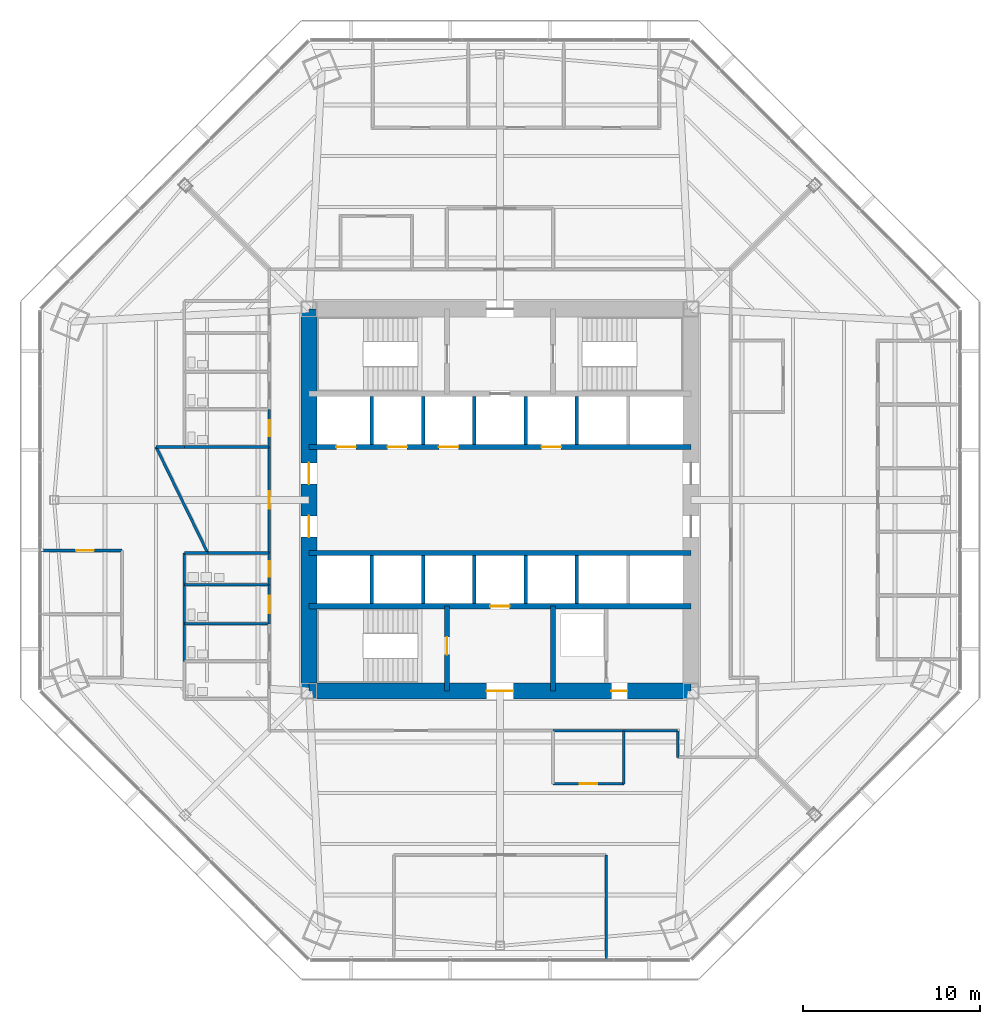
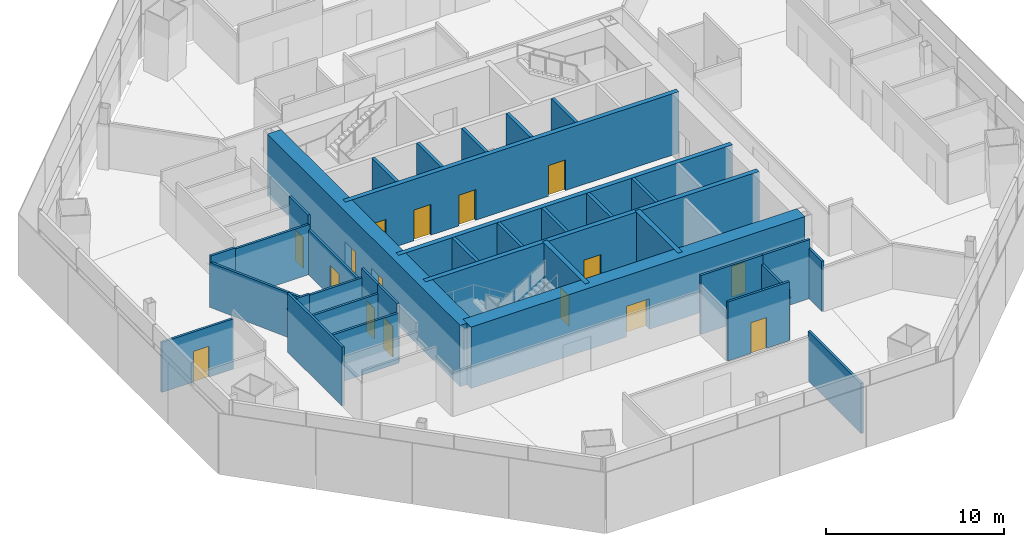
# One storey, part 9 of 15: 36 walls, 16 doors, 16 openings.
"""IFC4 building model written with IfcOpenShell, lengths in metres."""

from ifc_helpers import new_model, si_unit, direction, frame, frame_2d, origin, place, context, subcontext, project, spatial, rectangle, extrude, material, layer, layer_set, type_object, element, fill, save


model = new_model("IFC4")

# Units and contexts
model_context = context("Model", 3, precision=1e-05, world=origin(), true_north=direction((0.0, 1.0)))
body_context = subcontext(model_context, "Body", "Model", "MODEL_VIEW")
ifc_project = project(units=[si_unit("LENGTHUNIT", "METRE"), si_unit("AREAUNIT", "SQUARE_METRE"), si_unit("VOLUMEUNIT", "CUBIC_METRE"), si_unit("PLANEANGLEUNIT", "RADIAN"), si_unit("MASSUNIT", "GRAM", prefix="KILO")], contexts=[model_context])

# Site, building, storey
site_placement = place(None, origin())
site = spatial("IfcSite", under=ifc_project, at=site_placement, CompositionType="ELEMENT")
building_placement = place(site_placement, origin())
building = spatial("IfcBuilding", under=site, at=building_placement, Name="Mashrafa Tower", CompositionType="ELEMENT")
storey_placement = place(building_placement, frame((0.0, 0.0, 70.800048828125)))
storey = spatial("IfcBuildingStorey", under=building, at=storey_placement, Name="L15", CompositionType="ELEMENT", Elevation=70.800048828125)

# Wall, openings, doors
ifc_material_1 = material(Name="Concrete C60/75", Category="concrete")
ifc_layer_1 = layer(ifc_material_1, 0.300048828125)
ifc_layer_set_1 = layer_set([ifc_layer_1], Name="Core wall 300 C60/75")
wall_type_1 = type_object("IfcWallType", Name="Core wall 300 C60/75", PredefinedType="SOLIDWALL", material=ifc_layer_set_1)
wall_1_placement = place(storey_placement, frame((-10.800048828125, 3.0, 0.0), z_axis=(0.0, 0.0, 1.0), x_axis=(1.0, 0.0, 0.0)))
wall_1 = element("IfcWall", 1, at=wall_1_placement, inside=storey, type_object=wall_type_1, Name="Core wall CH-N L15", PredefinedType="SOLIDWALL", context=body_context, shape_type="SweptSolid", body=[
    extrude(rectangle(XDim=21.60009765625, YDim=0.300048828125, at=frame_2d((10.800048828125, 0.0))), origin(), (0.0, 0.0, 1.0), 4.199951171875),
])
opening_1_placement = place(wall_1_placement, frame((1.550048828125, 0.0, 0.0)))
opening_1 = element("IfcOpeningElement", 2, at=opening_1_placement, cuts=wall_1, Name="Opening 15.A1", PredefinedType="OPENING", context=body_context, shape_type="SweptSolid", body=[
    extrude(rectangle(XDim=1.10009765625, YDim=2.10009765625, at=frame_2d((0.550048828125, 1.050048828125))), frame((0.0, 0.159912109375, 0.0), z_axis=(0.0, -1.0, 0.0), x_axis=(1.0, 0.0, 0.0)), (0.0, 0.0, 1.0), 0.320068359375),
])
opening_2_placement = place(wall_1_placement, frame((4.449951171875, 0.0, 0.0)))
opening_2 = element("IfcOpeningElement", 3, at=opening_2_placement, cuts=wall_1, Name="Opening 15.A2", PredefinedType="OPENING", context=body_context, shape_type="SweptSolid", body=[
    extrude(rectangle(XDim=1.10009765625, YDim=2.10009765625, at=frame_2d((0.550048828125, 1.050048828125))), frame((0.0, 0.159912109375, 0.0), z_axis=(0.0, -1.0, 0.0), x_axis=(1.0, 0.0, 0.0)), (0.0, 0.0, 1.0), 0.320068359375),
])
opening_3_placement = place(wall_1_placement, frame((7.35009765625, 0.0, 0.0)))
opening_3 = element("IfcOpeningElement", 4, at=opening_3_placement, cuts=wall_1, Name="Opening 15.A3", PredefinedType="OPENING", context=body_context, shape_type="SweptSolid", body=[
    extrude(rectangle(XDim=1.10009765625, YDim=2.10009765625, at=frame_2d((0.550048828125, 1.050048828125))), frame((0.0, 0.159912109375, 0.0), z_axis=(0.0, -1.0, 0.0), x_axis=(1.0, 0.0, 0.0)), (0.0, 0.0, 1.0), 0.320068359375),
])
opening_4_placement = place(wall_1_placement, frame((13.14990234375, 0.0, 0.0)))
opening_4 = element("IfcOpeningElement", 5, at=opening_4_placement, cuts=wall_1, Name="Opening 15.A4", PredefinedType="OPENING", context=body_context, shape_type="SweptSolid", body=[
    extrude(rectangle(XDim=1.10009765625, YDim=2.10009765625, at=frame_2d((0.550048828125, 1.050048828125))), frame((0.0, 0.159912109375, 0.0), z_axis=(0.0, -1.0, 0.0), x_axis=(1.0, 0.0, 0.0)), (0.0, 0.0, 1.0), 0.320068359375),
])
ifc_material_2 = material(Name="Steel door", Category="steel")
door_type_1 = type_object("IfcDoorType", Name="Lift landing door 1100 x 2100 90 min", OperationType="DOUBLE_DOOR_SLIDING", PredefinedType="DOOR", material=ifc_material_2)
door_1_placement = place(opening_1_placement, origin())
door_1 = element("IfcDoor", 6, at=door_1_placement, inside=storey, type_object=door_type_1, Name="Lift landing door A1 L15", OperationType="DOUBLE_DOOR_SLIDING", OverallHeight=2.10009765625, OverallWidth=1.10009765625, PredefinedType="DOOR", context=body_context, shape_type="SweptSolid", body=[
    extrude(rectangle(XDim=1.10009765625, YDim=2.10009765625, at=frame_2d((0.550048828125, 1.050048828125))), frame((0.0, 0.02490234375, 0.0), z_axis=(0.0, -1.0, 0.0), x_axis=(1.0, 0.0, 0.0)), (0.0, 0.0, 1.0), 0.050048828125),
])
fill(opening_1, door_1)
door_2_placement = place(opening_2_placement, origin())
door_2 = element("IfcDoor", 7, at=door_2_placement, inside=storey, type_object=door_type_1, Name="Lift landing door A2 L15", OperationType="DOUBLE_DOOR_SLIDING", OverallHeight=2.10009765625, OverallWidth=1.10009765625, PredefinedType="DOOR", context=body_context, shape_type="SweptSolid", body=[
    extrude(rectangle(XDim=1.10009765625, YDim=2.10009765625, at=frame_2d((0.550048828125, 1.050048828125))), frame((0.0, 0.02490234375, 0.0), z_axis=(0.0, -1.0, 0.0), x_axis=(1.0, 0.0, 0.0)), (0.0, 0.0, 1.0), 0.050048828125),
])
fill(opening_2, door_2)
door_3_placement = place(opening_3_placement, origin())
door_3 = element("IfcDoor", 8, at=door_3_placement, inside=storey, type_object=door_type_1, Name="Lift landing door A3 L15", OperationType="DOUBLE_DOOR_SLIDING", OverallHeight=2.10009765625, OverallWidth=1.10009765625, PredefinedType="DOOR", context=body_context, shape_type="SweptSolid", body=[
    extrude(rectangle(XDim=1.10009765625, YDim=2.10009765625, at=frame_2d((0.550048828125, 1.050048828125))), frame((0.0, 0.02490234375, 0.0), z_axis=(0.0, -1.0, 0.0), x_axis=(1.0, 0.0, 0.0)), (0.0, 0.0, 1.0), 0.050048828125),
])
fill(opening_3, door_3)
door_4_placement = place(opening_4_placement, origin())
door_4 = element("IfcDoor", 9, at=door_4_placement, inside=storey, type_object=door_type_1, Name="Lift landing door A4 L15", OperationType="DOUBLE_DOOR_SLIDING", OverallHeight=2.10009765625, OverallWidth=1.10009765625, PredefinedType="DOOR", context=body_context, shape_type="SweptSolid", body=[
    extrude(rectangle(XDim=1.10009765625, YDim=2.10009765625, at=frame_2d((0.550048828125, 1.050048828125))), frame((0.0, 0.02490234375, 0.0), z_axis=(0.0, -1.0, 0.0), x_axis=(1.0, 0.0, 0.0)), (0.0, 0.0, 1.0), 0.050048828125),
])
fill(opening_4, door_4)

# Wall
wall_2_placement = place(storey_placement, frame((-10.800048828125, -3.0, 0.0), z_axis=(0.0, 0.0, 1.0), x_axis=(1.0, 0.0, 0.0)))
element("IfcWall", 10, at=wall_2_placement, inside=storey, type_object=wall_type_1, Name="Core wall CH-S L15", PredefinedType="SOLIDWALL", context=body_context, shape_type="SweptSolid", body=[
    extrude(rectangle(XDim=21.60009765625, YDim=0.300048828125, at=frame_2d((10.800048828125, 0.0))), origin(), (0.0, 0.0, 1.0), 4.199951171875),
])

# Wall, opening, door
wall_3_placement = place(storey_placement, frame((-10.800048828125, -6.0, 0.0), z_axis=(0.0, 0.0, 1.0), x_axis=(1.0, 0.0, 0.0)))
wall_3 = element("IfcWall", 11, at=wall_3_placement, inside=storey, type_object=wall_type_1, Name="Core wall CB-S L15", PredefinedType="SOLIDWALL", context=body_context, shape_type="SweptSolid", body=[
    extrude(rectangle(XDim=21.60009765625, YDim=0.300048828125, at=frame_2d((10.800048828125, 0.0))), origin(), (0.0, 0.0, 1.0), 4.199951171875),
])
opening_5_placement = place(wall_3_placement, frame((10.25, 0.0, 0.0)))
opening_5 = element("IfcOpeningElement", 12, at=opening_5_placement, cuts=wall_3, Name="Opening 15.F2", PredefinedType="OPENING", context=body_context, shape_type="SweptSolid", body=[
    extrude(rectangle(XDim=1.10009765625, YDim=2.10009765625, at=frame_2d((0.550048828125, 1.050048828125))), frame((0.0, 0.159912109375, 0.0), z_axis=(0.0, -1.0, 0.0), x_axis=(1.0, 0.0, 0.0)), (0.0, 0.0, 1.0), 0.320068359375),
])
door_5_placement = place(opening_5_placement, origin())
door_5 = element("IfcDoor", 13, at=door_5_placement, inside=storey, type_object=door_type_1, Name="Lift landing door F2 L15", OperationType="DOUBLE_DOOR_SLIDING", OverallHeight=2.10009765625, OverallWidth=1.10009765625, PredefinedType="DOOR", context=body_context, shape_type="SweptSolid", body=[
    extrude(rectangle(XDim=1.10009765625, YDim=2.10009765625, at=frame_2d((0.550048828125, 1.050048828125))), frame((0.0, 0.02490234375, 0.0), z_axis=(0.0, -1.0, 0.0), x_axis=(1.0, 0.0, 0.0)), (0.0, 0.0, 1.0), 0.050048828125),
])
fill(opening_5, door_5)

wall_4_placement = place(storey_placement, frame((-3.0, -6.0, 0.0), z_axis=(0.0, 0.0, 1.0), x_axis=(0.0, -1.0, 0.0)))
wall_4 = element("IfcWall", 14, at=wall_4_placement, inside=storey, type_object=wall_type_1, Name="Core wall CX-SW L15", PredefinedType="SOLIDWALL", context=body_context, shape_type="SweptSolid", body=[
    extrude(rectangle(XDim=4.800048828125, YDim=0.300048828125, at=frame_2d((2.39990234375, 0.0))), origin(), (0.0, 0.0, 1.0), 4.199951171875),
])
opening_6_placement = place(wall_4_placement, frame((1.75, 0.0, 0.0)))
opening_6 = element("IfcOpeningElement", 15, at=opening_6_placement, cuts=wall_4, Name="Opening 15.036", PredefinedType="OPENING", context=body_context, shape_type="SweptSolid", body=[
    extrude(rectangle(XDim=1.0, YDim=2.10009765625, at=frame_2d((0.5, 1.050048828125))), frame((0.0, 0.159912109375, 0.0), z_axis=(0.0, -1.0, 0.0), x_axis=(1.0, 0.0, 0.0)), (0.0, 0.0, 1.0), 0.320068359375),
])
ifc_material_3 = material(Name="Steel door", Category="steel")
door_type_2 = type_object("IfcDoorType", Name="Stair door 1000 x 2100 90 min", OperationType="USERDEFINED", PredefinedType="DOOR", material=ifc_material_3)
door_6_placement = place(opening_6_placement, frame((1.0, 0.0, 0.0), z_axis=(0.0, 0.0, 1.0), x_axis=(-1.0, 0.0, 0.0)))
door_6 = element("IfcDoor", 16, at=door_6_placement, inside=storey, type_object=door_type_2, Name="Stair S3 door L15", OperationType="SINGLE_SWING_RIGHT", OverallHeight=2.10009765625, OverallWidth=1.0, PredefinedType="DOOR", context=body_context, shape_type="SweptSolid", body=[
    extrude(rectangle(XDim=1.0, YDim=2.10009765625, at=frame_2d((0.5, 1.050048828125))), frame((0.0, 0.02490234375, 0.0), z_axis=(0.0, -1.0, 0.0), x_axis=(1.0, 0.0, 0.0)), (0.0, 0.0, 1.0), 0.050048828125),
])
fill(opening_6, door_6)

# Wall
wall_5_placement = place(storey_placement, frame((3.0, -6.0, 0.0), z_axis=(0.0, 0.0, 1.0), x_axis=(0.0, -1.0, 0.0)))
element("IfcWall", 17, at=wall_5_placement, inside=storey, type_object=wall_type_1, Name="Core wall CX-SE L15", PredefinedType="SOLIDWALL", context=body_context, shape_type="SweptSolid", body=[
    extrude(rectangle(XDim=4.800048828125, YDim=0.300048828125, at=frame_2d((2.39990234375, 0.0))), origin(), (0.0, 0.0, 1.0), 4.199951171875),
])

# Wall, openings, doors
ifc_material_4 = material(Name="Concrete C60/75", Category="concrete")
ifc_layer_2 = layer(ifc_material_4, 0.89990234375)
ifc_layer_set_2 = layer_set([ifc_layer_2], Name="Core wall 900 C60/75")
wall_type_2 = type_object("IfcWallType", Name="Core wall 900 C60/75", PredefinedType="SOLIDWALL", material=ifc_layer_set_2)
wall_6_placement = place(storey_placement, frame((-10.800048828125, -10.800048828125, 0.0), z_axis=(0.0, 0.0, 1.0), x_axis=(1.0, 0.0, 0.0)))
wall_6 = element("IfcWall", 18, at=wall_6_placement, inside=storey, type_object=wall_type_2, Name="Core wall CW-S L15", PredefinedType="SOLIDWALL", context=body_context, shape_type="SweptSolid", body=[
    extrude(rectangle(XDim=21.60009765625, YDim=0.89990234375, at=frame_2d((10.800048828125, 0.0))), origin(), (0.0, 0.0, 1.0), 4.199951171875),
])
opening_7_placement = place(wall_6_placement, frame((10.050048828125, 0.0, 0.0)))
opening_7 = element("IfcOpeningElement", 19, at=opening_7_placement, cuts=wall_6, Name="Opening 15.033", PredefinedType="OPENING", context=body_context, shape_type="SweptSolid", body=[
    extrude(rectangle(XDim=1.5, YDim=2.10009765625, at=frame_2d((0.75, 1.050048828125))), frame((0.0, 0.4599609375, 0.0), z_axis=(0.0, -1.0, 0.0), x_axis=(1.0, 0.0, 0.0)), (0.0, 0.0, 1.0), 0.919921875),
])
opening_8_placement = place(wall_6_placement, frame((17.10009765625, 0.0, 0.0)))
opening_8 = element("IfcOpeningElement", 20, at=opening_8_placement, cuts=wall_6, Name="Opening 15.037", PredefinedType="OPENING", context=body_context, shape_type="SweptSolid", body=[
    extrude(rectangle(XDim=0.89990234375, YDim=2.10009765625, at=frame_2d((0.449951171875, 1.050048828125))), frame((0.0, 0.4599609375, 0.0), z_axis=(0.0, -1.0, 0.0), x_axis=(1.0, 0.0, 0.0)), (0.0, 0.0, 1.0), 0.919921875),
])
ifc_material_5 = material(Name="Steel door", Category="steel")
door_type_3 = type_object("IfcDoorType", Name="Lobby door pair 1500 x 2100 90 min", OperationType="DOUBLE_DOOR_SINGLE_SWING", PredefinedType="DOOR", material=ifc_material_5)
door_7_placement = place(opening_7_placement, origin())
door_7 = element("IfcDoor", 21, at=door_7_placement, inside=storey, type_object=door_type_3, Name="Fire-fighting lobby F2 door L15", OperationType="DOUBLE_DOOR_SINGLE_SWING", OverallHeight=2.10009765625, OverallWidth=1.5, PredefinedType="DOOR", context=body_context, shape_type="SweptSolid", body=[
    extrude(rectangle(XDim=1.5, YDim=2.10009765625, at=frame_2d((0.75, 1.050048828125))), frame((0.0, 0.02490234375, 0.0), z_axis=(0.0, -1.0, 0.0), x_axis=(1.0, 0.0, 0.0)), (0.0, 0.0, 1.0), 0.050048828125),
])
fill(opening_7, door_7)
ifc_material_6 = material(Name="Steel door", Category="steel")
door_type_4 = type_object("IfcDoorType", Name="Service door 900 x 2100 90 min", OperationType="USERDEFINED", PredefinedType="DOOR", material=ifc_material_6)
door_8_placement = place(opening_8_placement, origin())
door_8 = element("IfcDoor", 22, at=door_8_placement, inside=storey, type_object=door_type_4, Name="Tenant Store L15 door", OperationType="SINGLE_SWING_LEFT", OverallHeight=2.10009765625, OverallWidth=0.89990234375, PredefinedType="DOOR", context=body_context, shape_type="SweptSolid", body=[
    extrude(rectangle(XDim=0.89990234375, YDim=2.10009765625, at=frame_2d((0.449951171875, 1.050048828125))), frame((0.0, 0.02490234375, 0.0), z_axis=(0.0, -1.0, 0.0), x_axis=(1.0, 0.0, 0.0)), (0.0, 0.0, 1.0), 0.050048828125),
])
fill(opening_8, door_8)

wall_7_placement = place(storey_placement, frame((-10.800048828125, 10.800048828125, 0.0), z_axis=(0.0, 0.0, 1.0), x_axis=(0.0, -1.0, 0.0)))
wall_7 = element("IfcWall", 23, at=wall_7_placement, inside=storey, type_object=wall_type_2, Name="Core wall CW-W L15", PredefinedType="SOLIDWALL", context=body_context, shape_type="SweptSolid", body=[
    extrude(rectangle(XDim=21.60009765625, YDim=0.89990234375, at=frame_2d((10.800048828125, 0.0))), origin(), (0.0, 0.0, 1.0), 4.199951171875),
])
opening_9_placement = place(wall_7_placement, frame((8.699951171875, 0.0, 0.0)))
opening_9 = element("IfcOpeningElement", 24, at=opening_9_placement, cuts=wall_7, Name="Opening 15.029", PredefinedType="OPENING", context=body_context, shape_type="SweptSolid", body=[
    extrude(rectangle(XDim=1.199951171875, YDim=2.10009765625, at=frame_2d((0.60009765625, 1.050048828125))), frame((0.0, 0.4599609375, 0.0), z_axis=(0.0, -1.0, 0.0), x_axis=(1.0, 0.0, 0.0)), (0.0, 0.0, 1.0), 0.919921875),
])
opening_10_placement = place(wall_7_placement, frame((11.699951171875, 0.0, 0.0)))
opening_10 = element("IfcOpeningElement", 25, at=opening_10_placement, cuts=wall_7, Name="Opening 15.031", PredefinedType="OPENING", context=body_context, shape_type="SweptSolid", body=[
    extrude(rectangle(XDim=1.199951171875, YDim=2.10009765625, at=frame_2d((0.60009765625, 1.050048828125))), frame((0.0, 0.4599609375, 0.0), z_axis=(0.0, -1.0, 0.0), x_axis=(1.0, 0.0, 0.0)), (0.0, 0.0, 1.0), 0.919921875),
])
ifc_material_7 = material(Name="Steel door", Category="steel")
door_type_5 = type_object("IfcDoorType", Name="Lift hall door 1200 x 2100 90 min", OperationType="USERDEFINED", PredefinedType="DOOR", material=ifc_material_7)
door_9_placement = place(opening_9_placement, frame((1.199951171875, 0.0, 0.0), z_axis=(0.0, 0.0, 1.0), x_axis=(-1.0, 0.0, 0.0)))
door_9 = element("IfcDoor", 26, at=door_9_placement, inside=storey, type_object=door_type_5, Name="Lift hall door west L15", OperationType="SINGLE_SWING_RIGHT", OverallHeight=2.10009765625, OverallWidth=1.199951171875, PredefinedType="DOOR", context=body_context, shape_type="SweptSolid", body=[
    extrude(rectangle(XDim=1.199951171875, YDim=2.10009765625, at=frame_2d((0.60009765625, 1.050048828125))), frame((0.0, 0.02490234375, 0.0), z_axis=(0.0, -1.0, 0.0), x_axis=(1.0, 0.0, 0.0)), (0.0, 0.0, 1.0), 0.050048828125),
])
fill(opening_9, door_9)
door_10_placement = place(opening_10_placement, frame((1.199951171875, 0.0, 0.0), z_axis=(0.0, 0.0, 1.0), x_axis=(-1.0, 0.0, 0.0)))
door_10 = element("IfcDoor", 27, at=door_10_placement, inside=storey, type_object=door_type_5, Name="Lift hall door west L15", OperationType="SINGLE_SWING_LEFT", OverallHeight=2.10009765625, OverallWidth=1.199951171875, PredefinedType="DOOR", context=body_context, shape_type="SweptSolid", body=[
    extrude(rectangle(XDim=1.199951171875, YDim=2.10009765625, at=frame_2d((0.60009765625, 1.050048828125))), frame((0.0, 0.02490234375, 0.0), z_axis=(0.0, -1.0, 0.0), x_axis=(1.0, 0.0, 0.0)), (0.0, 0.0, 1.0), 0.050048828125),
])
fill(opening_10, door_10)

# Wall, opening, door
ifc_material_8 = material(Name="Gypsum board on steel studs", Category="steel")
ifc_layer_3 = layer(ifc_material_8, 0.14990234375)
ifc_layer_set_3 = layer_set([ifc_layer_3], Name="Corridor partition 150 1 hr")
wall_type_3 = type_object("IfcWallType", Name="Corridor partition 150 1 hr", PredefinedType="PARTITIONING", material=ifc_layer_set_3)
wall_8_placement = place(storey_placement, frame((-13.050048828125, 5.1259765625, 0.0), z_axis=(0.0, 0.0, 1.0), x_axis=(0.0, -1.0, 0.0)))
wall_8 = element("IfcWall", 28, at=wall_8_placement, inside=storey, type_object=wall_type_3, Name="Corridor wall L15-001", PredefinedType="PARTITIONING", context=body_context, shape_type="SweptSolid", body=[
    extrude(rectangle(XDim=2.126953125, YDim=0.14990234375, at=frame_2d((1.0634765625, 0.0))), origin(), (0.0, 0.0, 1.0), 4.034912109375),
])
opening_11_placement = place(wall_8_placement, frame((0.613525390625, 0.0, 0.0)))
opening_11 = element("IfcOpeningElement", 29, at=opening_11_placement, cuts=wall_8, Name="Opening 15.001", PredefinedType="OPENING", context=body_context, shape_type="SweptSolid", body=[
    extrude(rectangle(XDim=0.89990234375, YDim=2.10009765625, at=frame_2d((0.449951171875, 1.050048828125))), frame((0.0, 0.0849609375, 0.0), z_axis=(0.0, -1.0, 0.0), x_axis=(1.0, 0.0, 0.0)), (0.0, 0.0, 1.0), 0.169921875),
])
ifc_material_9 = material(Name="Timber door", Category="wood")
door_type_6 = type_object("IfcDoorType", Name="Toilet door 900 x 2100", OperationType="USERDEFINED", PredefinedType="DOOR", material=ifc_material_9)
door_11_placement = place(opening_11_placement, frame((0.89990234375, 0.0, 0.0), z_axis=(0.0, 0.0, 1.0), x_axis=(-1.0, 0.0, 0.0)))
door_11 = element("IfcDoor", 30, at=door_11_placement, inside=storey, type_object=door_type_6, Name="WC Female L15 N door", OperationType="SINGLE_SWING_RIGHT", OverallHeight=2.10009765625, OverallWidth=0.89990234375, PredefinedType="DOOR", context=body_context, shape_type="SweptSolid", body=[
    extrude(rectangle(XDim=0.89990234375, YDim=2.10009765625, at=frame_2d((0.449951171875, 1.050048828125))), frame((0.0, 0.02490234375, 0.0), z_axis=(0.0, -1.0, 0.0), x_axis=(1.0, 0.0, 0.0)), (0.0, 0.0, 1.0), 0.050048828125),
])
fill(opening_11, door_11)

wall_9_placement = place(storey_placement, frame((-13.050048828125, -4.799072265625, 0.0), z_axis=(0.0, 0.0, 1.0), x_axis=(0.0, -1.0, 0.0)))
wall_9 = element("IfcWall", 31, at=wall_9_placement, inside=storey, type_object=wall_type_3, Name="Corridor wall L15-007", PredefinedType="PARTITIONING", context=body_context, shape_type="SweptSolid", body=[
    extrude(rectangle(XDim=2.201904296875, YDim=0.14990234375, at=frame_2d((1.10107421875, 0.0))), origin(), (0.0, 0.0, 1.0), 4.034912109375),
])
opening_12_placement = place(wall_9_placement, frame((0.60107421875, 0.0, 0.0)))
opening_12 = element("IfcOpeningElement", 32, at=opening_12_placement, cuts=wall_9, Name="Opening 15.007", PredefinedType="OPENING", context=body_context, shape_type="SweptSolid", body=[
    extrude(rectangle(XDim=1.0, YDim=2.10009765625, at=frame_2d((0.5, 1.050048828125))), frame((0.0, 0.0849609375, 0.0), z_axis=(0.0, -1.0, 0.0), x_axis=(1.0, 0.0, 0.0)), (0.0, 0.0, 1.0), 0.169921875),
])
ifc_material_10 = material(Name="Timber door", Category="wood")
door_type_7 = type_object("IfcDoorType", Name="Accessible toilet door 1000 x 2100", OperationType="USERDEFINED", PredefinedType="DOOR", material=ifc_material_10)
door_12_placement = place(opening_12_placement, frame((1.0, 0.0, 0.0), z_axis=(0.0, 0.0, 1.0), x_axis=(-1.0, 0.0, 0.0)))
door_12 = element("IfcDoor", 33, at=door_12_placement, inside=storey, type_object=door_type_7, Name="Accessible WC L15 S door", OperationType="SINGLE_SWING_LEFT", OverallHeight=2.10009765625, OverallWidth=1.0, PredefinedType="DOOR", context=body_context, shape_type="SweptSolid", body=[
    extrude(rectangle(XDim=1.0, YDim=2.10009765625, at=frame_2d((0.5, 1.050048828125))), frame((0.0, 0.02490234375, 0.0), z_axis=(0.0, -1.0, 0.0), x_axis=(1.0, 0.0, 0.0)), (0.0, 0.0, 1.0), 0.050048828125),
])
fill(opening_12, door_12)

wall_10_placement = place(storey_placement, frame((-13.050048828125, -2.9990234375, 0.0), z_axis=(0.0, 0.0, 1.0), x_axis=(0.0, -1.0, 0.0)))
wall_10 = element("IfcWall", 34, at=wall_10_placement, inside=storey, type_object=wall_type_3, Name="Corridor wall L15-008", PredefinedType="PARTITIONING", context=body_context, shape_type="SweptSolid", body=[
    extrude(rectangle(XDim=1.802001953125, YDim=0.14990234375, at=frame_2d((0.90087890625, 0.0))), origin(), (0.0, 0.0, 1.0), 4.034912109375),
])
opening_13_placement = place(wall_10_placement, frame((0.450927734375, 0.0, 0.0)))
opening_13 = element("IfcOpeningElement", 35, at=opening_13_placement, cuts=wall_10, Name="Opening 15.008", PredefinedType="OPENING", context=body_context, shape_type="SweptSolid", body=[
    extrude(rectangle(XDim=0.89990234375, YDim=2.10009765625, at=frame_2d((0.449951171875, 1.050048828125))), frame((0.0, 0.0849609375, 0.0), z_axis=(0.0, -1.0, 0.0), x_axis=(1.0, 0.0, 0.0)), (0.0, 0.0, 1.0), 0.169921875),
])
door_13_placement = place(opening_13_placement, frame((0.89990234375, 0.0, 0.0), z_axis=(0.0, 0.0, 1.0), x_axis=(-1.0, 0.0, 0.0)))
door_13 = element("IfcDoor", 36, at=door_13_placement, inside=storey, type_object=door_type_6, Name="Ablution Room L15 S door", OperationType="SINGLE_SWING_RIGHT", OverallHeight=2.10009765625, OverallWidth=0.89990234375, PredefinedType="DOOR", context=body_context, shape_type="SweptSolid", body=[
    extrude(rectangle(XDim=0.89990234375, YDim=2.10009765625, at=frame_2d((0.449951171875, 1.050048828125))), frame((0.0, 0.02490234375, 0.0), z_axis=(0.0, -1.0, 0.0), x_axis=(1.0, 0.0, 0.0)), (0.0, 0.0, 1.0), 0.050048828125),
])
fill(opening_13, door_13)

wall_11_placement = place(storey_placement, frame((-13.050048828125, 3.0009765625, 0.0), z_axis=(0.0, 0.0, 1.0), x_axis=(0.0, -1.0, 0.0)))
wall_11 = element("IfcWall", 37, at=wall_11_placement, inside=storey, type_object=wall_type_3, Name="Corridor wall L15-009", PredefinedType="PARTITIONING", context=body_context, shape_type="SweptSolid", body=[
    extrude(rectangle(XDim=6.001953125, YDim=0.14990234375, at=frame_2d((3.0009765625, 0.0))), origin(), (0.0, 0.0, 1.0), 3.06494140625),
])
opening_14_placement = place(wall_11_placement, frame((2.5009765625, 0.0, 0.0)))
opening_14 = element("IfcOpeningElement", 38, at=opening_14_placement, cuts=wall_11, Name="Opening 15.009", PredefinedType="OPENING", context=body_context, shape_type="SweptSolid", body=[
    extrude(rectangle(XDim=1.0, YDim=2.10009765625, at=frame_2d((0.5, 1.050048828125))), frame((0.0, 0.0849609375, 0.0), z_axis=(0.0, -1.0, 0.0), x_axis=(1.0, 0.0, 0.0)), (0.0, 0.0, 1.0), 0.169921875),
])
ifc_material_11 = material(Name="Timber door", Category="wood")
door_type_8 = type_object("IfcDoorType", Name="Door 1000 x 2100", OperationType="USERDEFINED", PredefinedType="DOOR", material=ifc_material_11)
door_14_placement = place(opening_14_placement, frame((1.0, 0.0, 0.0), z_axis=(0.0, 0.0, 1.0), x_axis=(-1.0, 0.0, 0.0)))
door_14 = element("IfcDoor", 39, at=door_14_placement, inside=storey, type_object=door_type_8, Name="Musallah Prayer Room 15 door", OperationType="SINGLE_SWING_LEFT", OverallHeight=2.10009765625, OverallWidth=1.0, PredefinedType="DOOR", context=body_context, shape_type="SweptSolid", body=[
    extrude(rectangle(XDim=1.0, YDim=2.10009765625, at=frame_2d((0.5, 1.050048828125))), frame((0.0, 0.02490234375, 0.0), z_axis=(0.0, -1.0, 0.0), x_axis=(1.0, 0.0, 0.0)), (0.0, 0.0, 1.0), 0.050048828125),
])
fill(opening_14, door_14)

# Walls
wall_12_placement = place(storey_placement, frame((2.9990234375, -13.050048828125, 0.0), z_axis=(0.0, 0.0, 1.0), x_axis=(1.0, 0.0, 0.0)))
element("IfcWall", 40, at=wall_12_placement, inside=storey, type_object=wall_type_3, Name="Corridor wall L15-013", PredefinedType="PARTITIONING", context=body_context, shape_type="SweptSolid", body=[
    extrude(rectangle(XDim=4.001953125, YDim=0.14990234375, at=frame_2d((2.0009765625, 0.0))), origin(), (0.0, 0.0, 1.0), 4.034912109375),
])
wall_13_placement = place(storey_placement, frame((6.9990234375, -13.050048828125, 0.0), z_axis=(0.0, 0.0, 1.0), x_axis=(1.0, 0.0, 0.0)))
element("IfcWall", 41, at=wall_13_placement, inside=storey, type_object=wall_type_3, Name="Corridor wall L15-024", PredefinedType="PARTITIONING", context=body_context, shape_type="SweptSolid", body=[
    extrude(rectangle(XDim=3.051025390625, YDim=0.14990234375, at=frame_2d((1.525390625, 0.0))), origin(), (0.0, 0.0, 1.0), 4.034912109375),
])
wall_14_placement = place(storey_placement, frame((10.050048828125, -13.050048828125, 0.0), z_axis=(0.0, 0.0, 1.0), x_axis=(0.0, -1.0, 0.0)))
element("IfcWall", 42, at=wall_14_placement, inside=storey, type_object=wall_type_3, Name="Corridor wall L15-025", PredefinedType="PARTITIONING", context=body_context, shape_type="SweptSolid", body=[
    extrude(rectangle(XDim=1.5, YDim=0.14990234375, at=frame_2d((0.75, 0.0))), origin(), (0.0, 0.0, 1.0), 3.4228515625),
])
ifc_material_12 = material(Name="Gypsum board on steel studs", Category="steel")
ifc_layer_4 = layer(ifc_material_12, 0.14990234375)
ifc_layer_set_4 = layer_set([ifc_layer_4], Name="Partition 150")
wall_type_4 = type_object("IfcWallType", Name="Partition 150", PredefinedType="PARTITIONING", material=ifc_layer_set_4)
for number, where, z_axis, x_axis, name in (
    (43, (-17.85009765625, 3.0, 0.0), (0.0, 0.0, 1.0), (1.0, 0.0, 0.0), "Partition wall L15-028"),
    (44, (-13.050048828125, -7.0, 0.0), (0.0, 0.0, 1.0), (-1.0, 0.0, 0.0), "Partition wall L15-039"),
):
    element("IfcWall", number, at=place(storey_placement, frame(where, z_axis=z_axis, x_axis=x_axis)), inside=storey, type_object=wall_type_4, Name=name, PredefinedType="PARTITIONING", context=body_context, shape_type="SweptSolid", body=[
        extrude(rectangle(XDim=4.800048828125, YDim=0.14990234375, at=frame_2d((2.39990234375, 0.0))), origin(), (0.0, 0.0, 1.0), 3.4228515625),
    ])
wall_15_placement = place(storey_placement, frame((-17.85009765625, -9.125, 0.0), z_axis=(0.0, 0.0, 1.0), x_axis=(0.0, 1.0, 0.0)))
element("IfcWall", 45, at=wall_15_placement, inside=storey, type_object=wall_type_4, Name="Partition wall L15-040", PredefinedType="PARTITIONING", context=body_context, shape_type="SweptSolid", body=[
    extrude(rectangle(XDim=6.125, YDim=0.14990234375, at=frame_2d((3.0625, 0.0))), origin(), (0.0, 0.0, 1.0), 4.034912109375),
])
wall_16_placement = place(storey_placement, frame((-13.050048828125, -4.800048828125, 0.0), z_axis=(0.0, 0.0, 1.0), x_axis=(-1.0, 0.0, 0.0)))
element("IfcWall", 46, at=wall_16_placement, inside=storey, type_object=wall_type_4, Name="Partition wall L15-041", PredefinedType="PARTITIONING", context=body_context, shape_type="SweptSolid", body=[
    extrude(rectangle(XDim=4.800048828125, YDim=0.14990234375, at=frame_2d((2.39990234375, 0.0))), origin(), (0.0, 0.0, 1.0), 3.4228515625),
])
wall_17_placement = place(storey_placement, frame((-13.050048828125, -3.0, 0.0), z_axis=(0.0, 0.0, 1.0), x_axis=(-1.0, 0.0, 0.0)))
element("IfcWall", 47, at=wall_17_placement, inside=storey, type_object=wall_type_4, Name="Partition wall L15-043", PredefinedType="PARTITIONING", context=body_context, shape_type="SweptSolid", body=[
    extrude(rectangle(XDim=3.474609375, YDim=0.14990234375, at=frame_2d((1.7373046875, 0.0))), origin(), (0.0, 0.0, 1.0), 3.4228515625),
])
wall_18_placement = place(storey_placement, frame((-16.5224609375, -3.0, 0.0), z_axis=(0.0, 0.0, 1.0), x_axis=(-1.0, 0.0, 0.0)))
element("IfcWall", 48, at=wall_18_placement, inside=storey, type_object=wall_type_4, Name="Partition wall L15-044", PredefinedType="PARTITIONING", context=body_context, shape_type="SweptSolid", body=[
    extrude(rectangle(XDim=1.32763671875, YDim=0.14990234375, at=frame_2d((0.663818359375, 0.0))), origin(), (0.0, 0.0, 1.0), 3.49658203125),
])
wall_19_placement = place(storey_placement, frame((-17.84912109375, 3.0, 0.0), z_axis=(0.0, 0.0, 1.0), x_axis=(-1.0, 0.0, 0.0)))
element("IfcWall", 49, at=wall_19_placement, inside=storey, type_object=wall_type_4, Name="Partition wall L15-046", PredefinedType="PARTITIONING", context=body_context, shape_type="SweptSolid", body=[
    extrude(rectangle(XDim=1.600830078125, YDim=0.14990234375, at=frame_2d((0.80029296875, 0.0))), origin(), (0.0, 0.0, 1.0), 3.49658203125),
])
wall_20_placement = place(storey_placement, frame((-19.449951171875, 3.0, 0.0), z_axis=(0.0, 0.0, 1.0), x_axis=(0.43835589904, -0.898801482963, 0.0)))
element("IfcWall", 50, at=wall_20_placement, inside=storey, type_object=wall_type_4, Name="Partition wall L15-047", PredefinedType="PARTITIONING", context=body_context, shape_type="SweptSolid", body=[
    extrude(rectangle(XDim=6.675537109375, YDim=0.14990234375, at=frame_2d((3.337890625, 0.0))), origin(), (0.0, 0.0, 1.0), 3.06494140625),
])
wall_21_placement = place(storey_placement, frame((6.0, -25.993896484375, 0.0), z_axis=(0.0, 0.0, 1.0), x_axis=(0.0, 1.0, 0.0)))
element("IfcWall", 51, at=wall_21_placement, inside=storey, type_object=wall_type_4, Name="Partition wall L15-057", PredefinedType="PARTITIONING", context=body_context, shape_type="SweptSolid", body=[
    extrude(rectangle(XDim=5.931884765625, YDim=0.14990234375, at=frame_2d((2.9658203125, 0.0))), origin(), (0.0, 0.0, 1.0), 3.4228515625),
])

# Wall, opening, door
wall_22_placement = place(storey_placement, frame((3.0, -16.050048828125, 0.0), z_axis=(0.0, 0.0, 1.0), x_axis=(1.0, 0.0, 0.0)))
wall_22 = element("IfcWall", 52, at=wall_22_placement, inside=storey, type_object=wall_type_4, Name="Partition wall L15-061", PredefinedType="PARTITIONING", context=body_context, shape_type="SweptSolid", body=[
    extrude(rectangle(XDim=4.0, YDim=0.14990234375, at=frame_2d((2.0, 0.0))), origin(), (0.0, 0.0, 1.0), 4.034912109375),
])
opening_15_placement = place(wall_22_placement, frame((1.5, 0.0, 0.0)))
opening_15 = element("IfcOpeningElement", 53, at=opening_15_placement, cuts=wall_22, Name="Opening 15.014", PredefinedType="OPENING", context=body_context, shape_type="SweptSolid", body=[
    extrude(rectangle(XDim=1.0, YDim=2.10009765625, at=frame_2d((0.5, 1.050048828125))), frame((0.0, 0.0849609375, 0.0), z_axis=(0.0, -1.0, 0.0), x_axis=(1.0, 0.0, 0.0)), (0.0, 0.0, 1.0), 0.169921875),
])
door_15_placement = place(opening_15_placement, origin())
door_15 = element("IfcDoor", 54, at=door_15_placement, inside=storey, type_object=door_type_8, Name="Pantry 15-S door", OperationType="SINGLE_SWING_LEFT", OverallHeight=2.10009765625, OverallWidth=1.0, PredefinedType="DOOR", context=body_context, shape_type="SweptSolid", body=[
    extrude(rectangle(XDim=1.0, YDim=2.10009765625, at=frame_2d((0.5, 1.050048828125))), frame((0.0, 0.02490234375, 0.0), z_axis=(0.0, -1.0, 0.0), x_axis=(1.0, 0.0, 0.0)), (0.0, 0.0, 1.0), 0.050048828125),
])
fill(opening_15, door_15)

# Wall
wall_23_placement = place(storey_placement, frame((7.0, -16.050048828125, 0.0), z_axis=(0.0, 0.0, 1.0), x_axis=(0.0, 1.0, 0.0)))
element("IfcWall", 55, at=wall_23_placement, inside=storey, type_object=wall_type_4, Name="Partition wall L15-062", PredefinedType="PARTITIONING", context=body_context, shape_type="SweptSolid", body=[
    extrude(rectangle(XDim=3.0, YDim=0.14990234375, at=frame_2d((1.5, 0.0))), origin(), (0.0, 0.0, 1.0), 3.4228515625),
])

# Wall, opening, door
wall_24_placement = place(storey_placement, frame((-21.36181640625, -2.85498046875, 0.0), z_axis=(0.0, 0.0, 1.0), x_axis=(-1.0, 0.0, 0.0)))
wall_24 = element("IfcWall", 56, at=wall_24_placement, inside=storey, type_object=wall_type_4, Name="Partition wall L15-086", PredefinedType="PARTITIONING", context=body_context, shape_type="SweptSolid", body=[
    extrude(rectangle(XDim=4.634033203125, YDim=0.14990234375, at=frame_2d((2.31689453125, 0.0))), origin(), (0.0, 0.0, 1.0), 3.4228515625),
])
opening_16_placement = place(wall_24_placement, frame((1.60009765625, 0.0, 0.0)))
opening_16 = element("IfcOpeningElement", 57, at=opening_16_placement, cuts=wall_24, Name="Opening 15.023", PredefinedType="OPENING", context=body_context, shape_type="SweptSolid", body=[
    extrude(rectangle(XDim=1.0, YDim=2.10009765625, at=frame_2d((0.5, 1.050048828125))), frame((0.0, 0.0849609375, 0.0), z_axis=(0.0, -1.0, 0.0), x_axis=(1.0, 0.0, 0.0)), (0.0, 0.0, 1.0), 0.169921875),
])
door_16_placement = place(opening_16_placement, origin())
door_16 = element("IfcDoor", 58, at=door_16_placement, inside=storey, type_object=door_type_8, Name="Office 15-S-1 door", OperationType="SINGLE_SWING_RIGHT", OverallHeight=2.10009765625, OverallWidth=1.0, PredefinedType="DOOR", context=body_context, shape_type="SweptSolid", body=[
    extrude(rectangle(XDim=1.0, YDim=2.10009765625, at=frame_2d((0.5, 1.050048828125))), frame((0.0, 0.02490234375, 0.0), z_axis=(0.0, -1.0, 0.0), x_axis=(1.0, 0.0, 0.0)), (0.0, 0.0, 1.0), 0.050048828125),
])
fill(opening_16, door_16)

# Walls
ifc_material_13 = material(Name="Gypsum shaft wall on steel studs", Category="steel")
ifc_layer_5 = layer(ifc_material_13, 0.199951171875)
ifc_layer_set_5 = layer_set([ifc_layer_5], Name="Shaft divider wall 200 2 hr")
wall_type_5 = type_object("IfcWallType", Name="Shaft divider wall 200 2 hr", PredefinedType="PARTITIONING", material=ifc_layer_set_5)
for number, where, z_axis, x_axis, name in (
    (59, (-7.25, 3.14990234375, 0.0), (0.0, 0.0, 1.0), (0.0, 1.0, 0.0), "Shaft divider wall N1 L15"),
    (60, (-4.35009765625, 3.14990234375, 0.0), (0.0, 0.0, 1.0), (0.0, 1.0, 0.0), "Shaft divider wall N2 L15"),
    (61, (-1.449951171875, 3.14990234375, 0.0), (0.0, 0.0, 1.0), (0.0, 1.0, 0.0), "Shaft divider wall N3 L15"),
    (62, (1.449951171875, 3.14990234375, 0.0), (0.0, 0.0, 1.0), (0.0, 1.0, 0.0), "Shaft divider wall N4 L15"),
    (63, (4.35009765625, 3.14990234375, 0.0), (0.0, 0.0, 1.0), (0.0, 1.0, 0.0), "Shaft divider wall N5 L15"),
    (64, (-7.25, -5.85009765625, 0.0), (0.0, 0.0, 1.0), (0.0, 1.0, 0.0), "Shaft divider wall S1 L15"),
    (65, (-4.35009765625, -5.85009765625, 0.0), (0.0, 0.0, 1.0), (0.0, 1.0, 0.0), "Shaft divider wall S2 L15"),
    (66, (-1.449951171875, -5.85009765625, 0.0), (0.0, 0.0, 1.0), (0.0, 1.0, 0.0), "Shaft divider wall S3 L15"),
    (67, (1.449951171875, -5.85009765625, 0.0), (0.0, 0.0, 1.0), (0.0, 1.0, 0.0), "Shaft divider wall S4 L15"),
    (68, (4.35009765625, -5.85009765625, 0.0), (0.0, 0.0, 1.0), (0.0, 1.0, 0.0), "Shaft divider wall S5 L15"),
):
    element("IfcWall", number, at=place(storey_placement, frame(where, z_axis=z_axis, x_axis=x_axis)), inside=storey, type_object=wall_type_5, Name=name, PredefinedType="PARTITIONING", context=body_context, shape_type="SweptSolid", body=[
        extrude(rectangle(XDim=2.7001953125, YDim=0.199951171875, at=frame_2d((1.35009765625, 0.0))), origin(), (0.0, 0.0, 1.0), 4.199951171875),
    ])

save(model, "model.ifc")
